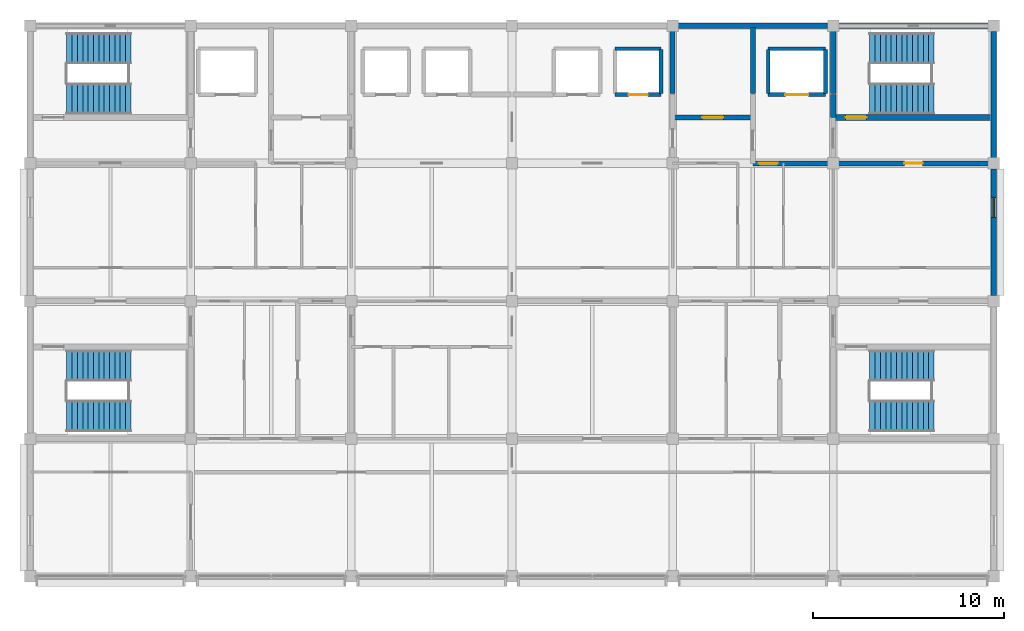
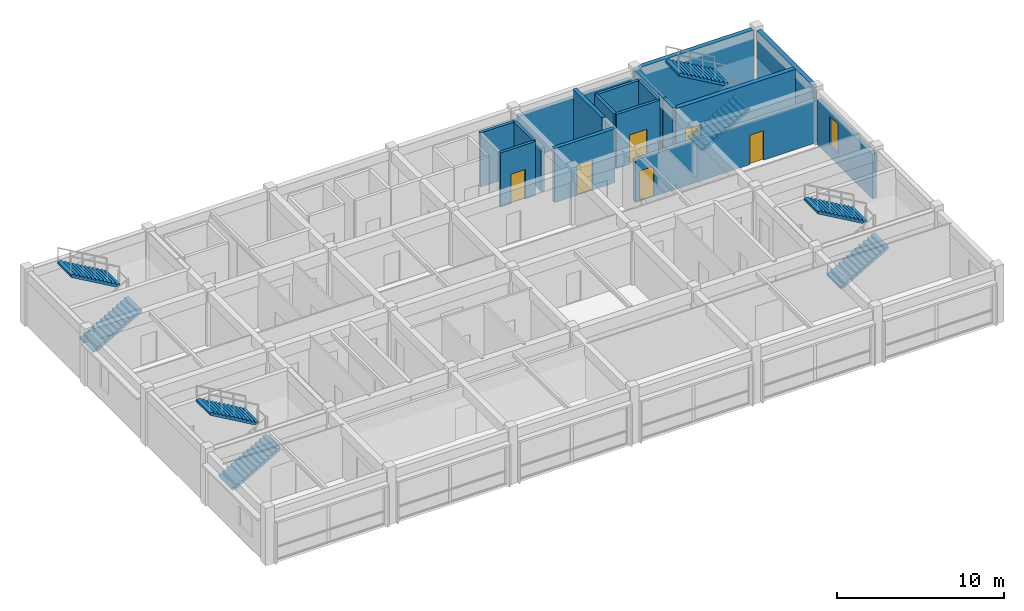
# One storey, part 12 of 13: 18 walls, 8 stair flights, 6 doors, 1 window, 7 openings, 4 elements without a shape of their own.
"""IFC4 building model written with IfcOpenShell, lengths in metres."""

from ifc_helpers import new_model, si_unit, direction, frame, frame_2d, origin, place, context, subcontext, project, spatial, polyline, rectangle, outline, extrude, material, layer, layer_set, type_object, element, fill, aggregate, save


model = new_model("IFC4")

# Units and contexts
model_context = context("Model", 3, precision=1e-05, world=origin(), true_north=direction((0.0, 1.0)))
body_context = subcontext(model_context, "Body", "Model", "MODEL_VIEW")
ifc_project = project(units=[si_unit("LENGTHUNIT", "METRE"), si_unit("AREAUNIT", "SQUARE_METRE"), si_unit("VOLUMEUNIT", "CUBIC_METRE"), si_unit("PLANEANGLEUNIT", "RADIAN"), si_unit("MASSUNIT", "GRAM", prefix="KILO")], contexts=[model_context])

# Site, building, storey
site_placement = place(None, origin())
site = spatial("IfcSite", under=ifc_project, at=site_placement, CompositionType="ELEMENT")
building_placement = place(site_placement, origin())
building = spatial("IfcBuilding", under=site, at=building_placement, Name="Chengyuan Square Courthouse", CompositionType="ELEMENT")
storey_placement = place(building_placement, frame((0.0, 0.0, 64.5)))
storey = spatial("IfcBuildingStorey", under=building, at=storey_placement, Name="L15", CompositionType="ELEMENT", Elevation=64.5)

# Wall
ifc_material_1 = material(Name="Concrete C40", Category="concrete")
ifc_layer_1 = layer(ifc_material_1, 0.280029296875)
ifc_layer_set_1 = layer_set([ifc_layer_1], Name="Concrete C40")
wall_type_1 = type_object("IfcWallType", Name="WL-EW4", PredefinedType="STANDARD", material=ifc_layer_set_1)
wall_1_placement = place(storey_placement, frame((92.695068359375, 108.0, 0.0), z_axis=(0.0, 0.0, 1.0), x_axis=(1.0, 0.0, 0.0)))
element("IfcWall", 1, at=wall_1_placement, inside=storey, type_object=wall_type_1, Name="Exterior Wall WL-L15-E530", PredefinedType="STANDARD", context=body_context, shape_type="SweptSolid", body=[
    extrude(rectangle(XDim=7.809814453125, YDim=0.280029296875, at=frame_2d((3.90478515625, 0.0))), origin(), (0.0, 0.0, 1.0), 3.300048828125),
])

# Wall, opening, window
wall_2_placement = place(storey_placement, frame((109.199951171875, 93.89501953125, 0.0), z_axis=(0.0, 0.0, 1.0), x_axis=(0.0, 1.0, 0.0)))
wall_2 = element("IfcWall", 2, at=wall_2_placement, inside=storey, type_object=wall_type_1, Name="Exterior Wall WL-L15-E533", PredefinedType="STANDARD", context=body_context, shape_type="SweptSolid", body=[
    extrude(rectangle(XDim=6.60986328125, YDim=0.280029296875, at=frame_2d((3.304931640625, 0.0))), origin(), (0.0, 0.0, 1.0), 3.300048828125),
])
opening_1_placement = place(wall_2_placement, frame((4.080078125, 0.0, 0.85009765625)))
opening_1 = element("IfcOpeningElement", 3, at=opening_1_placement, cuts=wall_2, Name="Opening WN-245", PredefinedType="OPENING", context=body_context, shape_type="SweptSolid", body=[
    extrude(rectangle(XDim=1.050048828125, YDim=2.1201171875, at=frame_2d((0.52490234375, 1.06005859375))), frame((0.0, 0.152099609375, 0.0), z_axis=(0.0, -1.0, 0.0), x_axis=(1.0, 0.0, 0.0)), (0.0, 0.0, 1.0), 0.303955078125),
])
ifc_material_2 = material(Name="Thermally Broken Aluminium Triple Low-E Window", Category="aluminium")
window_type = type_object("IfcWindowType", Name="WT-12", PartitioningType="SINGLE_PANEL", PredefinedType="WINDOW", material=ifc_material_2)
window_placement = place(opening_1_placement, origin())
window = element("IfcWindow", 4, at=window_placement, inside=storey, type_object=window_type, Name="Facade Window WN-245", OverallHeight=2.1201171875, OverallWidth=1.050048828125, PartitioningType="SINGLE_PANEL", PredefinedType="WINDOW", context=body_context, shape_type="SweptSolid", body=[
    extrude(rectangle(XDim=1.050048828125, YDim=2.1201171875, at=frame_2d((0.52490234375, 1.06005859375))), frame((0.0, 0.030029296875, 0.0), z_axis=(0.0, -1.0, 0.0), x_axis=(1.0, 0.0, 0.0)), (0.0, 0.0, 1.0), 0.06005859375),
])
fill(opening_1, window)

# Wall, openings, doors
ifc_layer_2 = layer(ifc_material_1, 0.25)
ifc_layer_set_2 = layer_set([ifc_layer_2], Name="Concrete C40")
wall_type_2 = type_object("IfcWallType", Name="WL-FW1", PredefinedType="STANDARD", material=ifc_layer_set_2)
wall_3_placement = place(storey_placement, frame((96.60009765625, 100.800048828125, 0.0), z_axis=(0.0, 0.0, 1.0), x_axis=(1.0, 0.0, 0.0)))
wall_3 = element("IfcWall", 5, at=wall_3_placement, inside=storey, type_object=wall_type_2, Name="Interior Wall WL-L15-I4018", PredefinedType="STANDARD", context=body_context, shape_type="SweptSolid", body=[
    extrude(rectangle(XDim=12.559814453125, YDim=0.25, at=frame_2d((6.27978515625, 0.0))), origin(), (0.0, 0.0, 1.0), 3.10009765625),
])
opening_2_placement = place(wall_3_placement, frame((7.925048828125, 0.0, 0.0)))
opening_2 = element("IfcOpeningElement", 6, at=opening_2_placement, cuts=wall_3, Name="Opening DR-3308", PredefinedType="OPENING", context=body_context, shape_type="SweptSolid", body=[
    extrude(rectangle(XDim=0.949951171875, YDim=2.14990234375, at=frame_2d((0.47509765625, 1.074951171875))), frame((0.0, 0.136962890625, 0.0), z_axis=(0.0, -1.0, 0.0), x_axis=(1.0, 0.0, 0.0)), (0.0, 0.0, 1.0), 0.27392578125),
])
opening_3_placement = place(wall_3_placement, frame((0.300048828125, 0.0, 0.0)))
opening_3 = element("IfcOpeningElement", 7, at=opening_3_placement, cuts=wall_3, Name="Opening DR-3322", PredefinedType="OPENING", context=body_context, shape_type="SweptSolid", body=[
    extrude(rectangle(XDim=1.0, YDim=2.199951171875, at=frame_2d((0.5, 1.10009765625))), frame((0.0, 0.136962890625, 0.0), z_axis=(0.0, -1.0, 0.0), x_axis=(1.0, 0.0, 0.0)), (0.0, 0.0, 1.0), 0.27392578125),
])
ifc_material_3 = material(Name="Steel Q235B Fire Door", Category="steel")
door_type_1 = type_object("IfcDoorType", Name="DT-11", OperationType="NOTDEFINED", PredefinedType="DOOR", material=ifc_material_3)
door_1_placement = place(opening_3_placement, origin())
door_1 = element("IfcDoor", 8, at=door_1_placement, inside=storey, type_object=door_type_1, Name="Interior Door DR-3322", OperationType="SINGLE_SWING_LEFT", OverallHeight=2.199951171875, OverallWidth=1.0, PredefinedType="DOOR", context=body_context, shape_type="SweptSolid", body=[
    extrude(rectangle(XDim=1.0, YDim=2.199951171875, at=frame_2d((0.5, 1.10009765625))), frame((0.0, 0.02490234375, 0.0), z_axis=(0.0, -1.0, 0.0), x_axis=(1.0, 0.0, 0.0)), (0.0, 0.0, 1.0), 0.050048828125),
])
fill(opening_3, door_1)
door_type_2 = type_object("IfcDoorType", Name="DT-12", OperationType="NOTDEFINED", PredefinedType="DOOR", material=ifc_material_3)
door_2_placement = place(opening_2_placement, origin())
door_2 = element("IfcDoor", 9, at=door_2_placement, inside=storey, type_object=door_type_2, Name="Interior Door DR-3308", OperationType="SINGLE_SWING_LEFT", OverallHeight=2.14990234375, OverallWidth=0.949951171875, PredefinedType="DOOR", context=body_context, shape_type="SweptSolid", body=[
    extrude(rectangle(XDim=0.949951171875, YDim=2.14990234375, at=frame_2d((0.47509765625, 1.074951171875))), frame((0.0, 0.02490234375, 0.0), z_axis=(0.0, -1.0, 0.0), x_axis=(1.0, 0.0, 0.0)), (0.0, 0.0, 1.0), 0.050048828125),
])
fill(opening_2, door_2)

# Wall, opening, door
wall_4_placement = place(storey_placement, frame((92.39990234375, 103.199951171875, 0.0), z_axis=(0.0, 0.0, 1.0), x_axis=(1.0, 0.0, 0.0)))
wall_4 = element("IfcWall", 10, at=wall_4_placement, inside=storey, type_object=wall_type_2, Name="Interior Wall WL-L15-I4021", PredefinedType="STANDARD", context=body_context, shape_type="SweptSolid", body=[
    extrude(rectangle(XDim=4.2001953125, YDim=0.25, at=frame_2d((2.10009765625, 0.0))), origin(), (0.0, 0.0, 1.0), 3.949951171875),
])
opening_4_placement = place(wall_4_placement, frame((1.550048828125, 0.0, 0.0)))
opening_4 = element("IfcOpeningElement", 11, at=opening_4_placement, cuts=wall_4, Name="Opening DR-3318", PredefinedType="OPENING", context=body_context, shape_type="SweptSolid", body=[
    extrude(rectangle(XDim=1.10009765625, YDim=2.199951171875, at=frame_2d((0.550048828125, 1.10009765625))), frame((0.0, 0.136962890625, 0.0), z_axis=(0.0, -1.0, 0.0), x_axis=(1.0, 0.0, 0.0)), (0.0, 0.0, 1.0), 0.27392578125),
])
door_type_3 = type_object("IfcDoorType", Name="DT-10", OperationType="NOTDEFINED", PredefinedType="DOOR", material=ifc_material_3)
door_3_placement = place(opening_4_placement, origin())
door_3 = element("IfcDoor", 12, at=door_3_placement, inside=storey, type_object=door_type_3, Name="Interior Door DR-3318", OperationType="SINGLE_SWING_LEFT", OverallHeight=2.199951171875, OverallWidth=1.10009765625, PredefinedType="DOOR", context=body_context, shape_type="SweptSolid", body=[
    extrude(rectangle(XDim=1.10009765625, YDim=2.199951171875, at=frame_2d((0.550048828125, 1.10009765625))), frame((0.0, 0.02490234375, 0.0), z_axis=(0.0, -1.0, 0.0), x_axis=(1.0, 0.0, 0.0)), (0.0, 0.0, 1.0), 0.050048828125),
])
fill(opening_4, door_3)

# Walls
wall_5_placement = place(storey_placement, frame((92.39990234375, 104.449951171875, 0.0), z_axis=(0.0, 0.0, 1.0), x_axis=(0.0, 1.0, 0.0)))
element("IfcWall", 13, at=wall_5_placement, inside=storey, type_object=wall_type_2, Name="Interior Wall WL-L15-I4070", PredefinedType="STANDARD", context=body_context, shape_type="SweptSolid", body=[
    extrude(rectangle(XDim=3.4599609375, YDim=0.25, at=frame_2d((1.72998046875, 0.0))), origin(), (0.0, 0.0, 1.0), 3.199951171875),
])
wall_6_placement = place(storey_placement, frame((96.60009765625, 104.449951171875, 0.0), z_axis=(0.0, 0.0, 1.0), x_axis=(0.0, 1.0, 0.0)))
element("IfcWall", 14, at=wall_6_placement, inside=storey, type_object=wall_type_2, Name="Interior Wall WL-L15-I4074", PredefinedType="STANDARD", context=body_context, shape_type="SweptSolid", body=[
    extrude(rectangle(XDim=3.4599609375, YDim=0.25, at=frame_2d((1.72998046875, 0.0))), origin(), (0.0, 0.0, 1.0), 3.949951171875),
])

# Wall, opening, door
ifc_material_4 = material(Name="Reinforced Masonry Shaft Enclosure", Category="masonry")
ifc_layer_3 = layer(ifc_material_4, 0.199951171875)
ifc_layer_set_3 = layer_set([ifc_layer_3], Name="Reinforced Masonry Shaft Enclosure")
wall_type_3 = type_object("IfcWallType", Name="WL-SH1", PredefinedType="STANDARD", material=ifc_layer_set_3)
wall_7_placement = place(storey_placement, frame((89.39990234375, 104.39990234375, 0.0), z_axis=(0.0, 0.0, 1.0), x_axis=(1.0, 0.0, 0.0)))
wall_7 = element("IfcWall", 15, at=wall_7_placement, inside=storey, type_object=wall_type_3, Name="Interior Wall WL-L15-I4029", PredefinedType="STANDARD", context=body_context, shape_type="SweptSolid", body=[
    extrude(rectangle(XDim=2.400146484375, YDim=0.199951171875, at=frame_2d((1.2001953125, 0.0))), origin(), (0.0, 0.0, 1.0), 3.949951171875),
])
opening_5_placement = place(wall_7_placement, frame((0.699951171875, 0.0, 0.0)))
opening_5 = element("IfcOpeningElement", 16, at=opening_5_placement, cuts=wall_7, Name="Opening LD-210", PredefinedType="OPENING", context=body_context, shape_type="SweptSolid", body=[
    extrude(rectangle(XDim=1.0, YDim=2.14990234375, at=frame_2d((0.5, 1.074951171875))), frame((0.0, 0.112060546875, 0.0), z_axis=(0.0, -1.0, 0.0), x_axis=(1.0, 0.0, 0.0)), (0.0, 0.0, 1.0), 0.223876953125),
])
ifc_material_5 = material(Name="Stainless Steel S30408 Lift Landing Door", Category="steel")
door_type_4 = type_object("IfcDoorType", Name="DT-07", OperationType="DOUBLE_DOOR_SLIDING", PredefinedType="DOOR", material=ifc_material_5)
door_4_placement = place(opening_5_placement, origin())
door_4 = element("IfcDoor", 17, at=door_4_placement, inside=storey, type_object=door_type_4, Name="Lift Landing Door LF-J4 L15", OperationType="DOUBLE_DOOR_SLIDING", OverallHeight=2.14990234375, OverallWidth=1.0, PredefinedType="DOOR", context=body_context, shape_type="SweptSolid", body=[
    extrude(rectangle(XDim=1.0, YDim=2.14990234375, at=frame_2d((0.5, 1.074951171875))), frame((0.0, 0.02490234375, 0.0), z_axis=(0.0, -1.0, 0.0), x_axis=(1.0, 0.0, 0.0)), (0.0, 0.0, 1.0), 0.050048828125),
])
fill(opening_5, door_4)

wall_8_placement = place(storey_placement, frame((97.39990234375, 104.39990234375, 0.0), z_axis=(0.0, 0.0, 1.0), x_axis=(1.0, 0.0, 0.0)))
wall_8 = element("IfcWall", 18, at=wall_8_placement, inside=storey, type_object=wall_type_3, Name="Interior Wall WL-L15-I4030", PredefinedType="STANDARD", context=body_context, shape_type="SweptSolid", body=[
    extrude(rectangle(XDim=3.0, YDim=0.199951171875, at=frame_2d((1.5, 0.0))), origin(), (0.0, 0.0, 1.0), 3.949951171875),
])
opening_6_placement = place(wall_8_placement, frame((0.89990234375, 0.0, 0.0)))
opening_6 = element("IfcOpeningElement", 19, at=opening_6_placement, cuts=wall_8, Name="Opening LD-206", PredefinedType="OPENING", context=body_context, shape_type="SweptSolid", body=[
    extrude(rectangle(XDim=1.199951171875, YDim=2.14990234375, at=frame_2d((0.60009765625, 1.074951171875))), frame((0.0, 0.112060546875, 0.0), z_axis=(0.0, -1.0, 0.0), x_axis=(1.0, 0.0, 0.0)), (0.0, 0.0, 1.0), 0.223876953125),
])
door_type_5 = type_object("IfcDoorType", Name="DT-05", OperationType="DOUBLE_DOOR_SLIDING", PredefinedType="DOOR", material=ifc_material_5)
door_5_placement = place(opening_6_placement, origin())
door_5 = element("IfcDoor", 20, at=door_5_placement, inside=storey, type_object=door_type_5, Name="Lift Landing Door LF-F2 L15", OperationType="DOUBLE_DOOR_SLIDING", OverallHeight=2.14990234375, OverallWidth=1.199951171875, PredefinedType="DOOR", context=body_context, shape_type="SweptSolid", body=[
    extrude(rectangle(XDim=1.199951171875, YDim=2.14990234375, at=frame_2d((0.60009765625, 1.074951171875))), frame((0.0, 0.02490234375, 0.0), z_axis=(0.0, -1.0, 0.0), x_axis=(1.0, 0.0, 0.0)), (0.0, 0.0, 1.0), 0.050048828125),
])
fill(opening_6, door_5)

# Walls
wall_9_placement = place(storey_placement, frame((89.39990234375, 106.800048828125, 0.0), z_axis=(0.0, 0.0, 1.0), x_axis=(1.0, 0.0, 0.0)))
element("IfcWall", 21, at=wall_9_placement, inside=storey, type_object=wall_type_3, Name="Interior Wall WL-L15-I4035", PredefinedType="STANDARD", context=body_context, shape_type="SweptSolid", body=[
    extrude(rectangle(XDim=2.400146484375, YDim=0.199951171875, at=frame_2d((1.2001953125, 0.0))), origin(), (0.0, 0.0, 1.0), 3.949951171875),
])
wall_10_placement = place(storey_placement, frame((97.39990234375, 106.800048828125, 0.0), z_axis=(0.0, 0.0, 1.0), x_axis=(1.0, 0.0, 0.0)))
element("IfcWall", 22, at=wall_10_placement, inside=storey, type_object=wall_type_3, Name="Interior Wall WL-L15-I4036", PredefinedType="STANDARD", context=body_context, shape_type="SweptSolid", body=[
    extrude(rectangle(XDim=3.0, YDim=0.199951171875, at=frame_2d((1.5, 0.0))), origin(), (0.0, 0.0, 1.0), 3.949951171875),
])
for number, where, z_axis, x_axis, name in (
    (23, (91.800048828125, 104.449951171875, 0.0), (0.0, 0.0, 1.0), (0.0, 1.0, 0.0), "Interior Wall WL-L15-I4066"),
    (24, (97.39990234375, 104.449951171875, 0.0), (0.0, 0.0, 1.0), (0.0, 1.0, 0.0), "Interior Wall WL-L15-I4075"),
    (25, (100.39990234375, 104.449951171875, 0.0), (0.0, 0.0, 1.0), (0.0, 1.0, 0.0), "Interior Wall WL-L15-I4078"),
):
    element("IfcWall", number, at=place(storey_placement, frame(where, z_axis=z_axis, x_axis=x_axis)), inside=storey, type_object=wall_type_3, Name=name, PredefinedType="STANDARD", context=body_context, shape_type="SweptSolid", body=[
        extrude(rectangle(XDim=2.300048828125, YDim=0.199951171875, at=frame_2d((1.14990234375, 0.0))), origin(), (0.0, 0.0, 1.0), 3.949951171875),
    ])
ifc_layer_4 = layer(ifc_material_1, 0.300048828125)
ifc_layer_set_4 = layer_set([ifc_layer_4], Name="Concrete C40")
wall_type_4 = type_object("IfcWallType", Name="WL-SW2", PredefinedType="SHEAR", material=ifc_layer_set_4)
wall_11_placement = place(storey_placement, frame((101.094970703125, 108.0, 0.0), z_axis=(0.0, 0.0, 1.0), x_axis=(1.0, 0.0, 0.0)))
element("IfcWall", 26, at=wall_11_placement, inside=storey, type_object=wall_type_4, Name="Exterior Wall WL-L15-E534", PredefinedType="SHEAR", context=body_context, shape_type="SweptSolid", body=[
    extrude(rectangle(XDim=7.81005859375, YDim=0.300048828125, at=frame_2d((3.905029296875, 0.0))), origin(), (0.0, 0.0, 1.0), 3.949951171875),
])
wall_12_placement = place(storey_placement, frame((109.199951171875, 101.094970703125, 0.0), z_axis=(0.0, 0.0, 1.0), x_axis=(0.0, 1.0, 0.0)))
element("IfcWall", 27, at=wall_12_placement, inside=storey, type_object=wall_type_4, Name="Exterior Wall WL-L15-E535", PredefinedType="SHEAR", context=body_context, shape_type="SweptSolid", body=[
    extrude(rectangle(XDim=6.610107421875, YDim=0.300048828125, at=frame_2d((3.30517578125, 0.0))), origin(), (0.0, 0.0, 1.0), 3.949951171875),
])

# Wall, opening, door
wall_13_placement = place(storey_placement, frame((100.800048828125, 103.199951171875, 0.0), z_axis=(0.0, 0.0, 1.0), x_axis=(1.0, 0.0, 0.0)))
wall_13 = element("IfcWall", 28, at=wall_13_placement, inside=storey, type_object=wall_type_4, Name="Interior Wall WL-L15-I4022", PredefinedType="SHEAR", context=body_context, shape_type="SweptSolid", body=[
    extrude(rectangle(XDim=8.35986328125, YDim=0.300048828125, at=frame_2d((4.179931640625, 0.0))), origin(), (0.0, 0.0, 1.0), 3.949951171875),
])
opening_7_placement = place(wall_13_placement, frame((0.64990234375, 0.0, 0.0)))
opening_7 = element("IfcOpeningElement", 29, at=opening_7_placement, cuts=wall_13, Name="Opening DR-3302", PredefinedType="OPENING", context=body_context, shape_type="SweptSolid", body=[
    extrude(rectangle(XDim=1.10009765625, YDim=2.199951171875, at=frame_2d((0.550048828125, 1.10009765625))), frame((0.0, 0.162109375, 0.0), z_axis=(0.0, -1.0, 0.0), x_axis=(1.0, 0.0, 0.0)), (0.0, 0.0, 1.0), 0.323974609375),
])
door_6_placement = place(opening_7_placement, origin())
door_6 = element("IfcDoor", 30, at=door_6_placement, inside=storey, type_object=door_type_3, Name="Smoke-Proof Stairwell Fire Door ST-2 DR-3302", OperationType="SINGLE_SWING_LEFT", OverallHeight=2.199951171875, OverallWidth=1.10009765625, PredefinedType="DOOR", context=body_context, shape_type="SweptSolid", body=[
    extrude(rectangle(XDim=1.10009765625, YDim=2.199951171875, at=frame_2d((0.550048828125, 1.10009765625))), frame((0.0, 0.02490234375, 0.0), z_axis=(0.0, -1.0, 0.0), x_axis=(1.0, 0.0, 0.0)), (0.0, 0.0, 1.0), 0.050048828125),
])
fill(opening_7, door_6)

# Walls
wall_14_placement = place(storey_placement, frame((100.800048828125, 103.199951171875, 0.0), z_axis=(0.0, 0.0, 1.0), x_axis=(0.0, 1.0, 0.0)))
element("IfcWall", 31, at=wall_14_placement, inside=storey, type_object=wall_type_4, Name="Interior Wall WL-L15-I4083", PredefinedType="SHEAR", context=body_context, shape_type="SweptSolid", body=[
    extrude(rectangle(XDim=1.199951171875, YDim=0.300048828125, at=frame_2d((0.60009765625, 0.0))), origin(), (0.0, 0.0, 1.0), 3.949951171875),
])
wall_15_placement = place(storey_placement, frame((100.800048828125, 104.449951171875, 0.0), z_axis=(0.0, 0.0, 1.0), x_axis=(0.0, 1.0, 0.0)))
element("IfcWall", 32, at=wall_15_placement, inside=storey, type_object=wall_type_4, Name="Interior Wall WL-L15-I4084", PredefinedType="SHEAR", context=body_context, shape_type="SweptSolid", body=[
    extrude(rectangle(XDim=3.4599609375, YDim=0.300048828125, at=frame_2d((1.72998046875, 0.0))), origin(), (0.0, 0.0, 1.0), 3.949951171875),
])

# Stair, stair flights
stair_type_1 = type_object("IfcStairType", Name="ST-TYPE-01", PredefinedType="HALF_TURN_STAIR", material=ifc_material_1)
stair_1_placement = place(storey_placement, origin())
stair_1 = element("IfcStair", 33, at=stair_1_placement, inside=storey, type_object=stair_type_1, Name="Smoke-Proof Exit Stair ST-1 (L15 to L16)", PredefinedType="HALF_TURN_STAIR")
stair_flight_type_1 = type_object("IfcStairFlightType", Name="STF-TYPE-01", PredefinedType="STRAIGHT", material=ifc_material_1)
stair_flight_1_placement = place(storey_placement, frame((60.7099609375, 104.175048828125, 0.0), z_axis=(0.0, 0.0, 1.0), x_axis=(1.0, 0.0, 0.0)))
stair_flight_1 = element("IfcStairFlight", 34, at=stair_flight_1_placement, type_object=stair_flight_type_1, Name="ST-1 flight 1", NumberOfRisers=13, NumberOfTreads=12, PredefinedType="STRAIGHT", RiserHeight=0.161538462, TreadLength=0.28, context=body_context, shape_type="SweptSolid", body=[
    extrude(outline(polyline([(0.0, 0.0), (0.0, 0.16162109375), (0.280029296875, 0.16162109375), (0.280029296875, 0.322998046875), (0.56005859375, 0.322998046875), (0.56005859375, 0.484619140625), (0.840087890625, 0.484619140625), (0.840087890625, 0.646240234375), (1.1201171875, 0.646240234375), (1.1201171875, 0.8076171875), (1.39990234375, 0.8076171875), (1.39990234375, 0.96923828125), (1.679931640625, 0.96923828125), (1.679931640625, 1.130859375), (1.9599609375, 1.130859375), (1.9599609375, 1.292236328125), (2.239990234375, 1.292236328125), (2.239990234375, 1.453857421875), (2.52001953125, 1.453857421875), (2.52001953125, 1.615478515625), (2.800048828125, 1.615478515625), (2.800048828125, 1.77685546875), (3.080078125, 1.77685546875), (3.080078125, 1.9384765625), (3.360107421875, 1.9384765625), (3.360107421875, 2.10009765625), (3.360107421875, 1.765380859375), (0.300048828125, 0.0), (0.0, 0.0)])), frame((0.0, 0.824951171875, 0.0), z_axis=(0.0, -1.0, 0.0), x_axis=(1.0, 0.0, 0.0)), (0.0, 0.0, 1.0), 1.64990234375),
])
stair_flight_2_placement = place(storey_placement, frame((64.070068359375, 106.824951171875, 2.10009765625), z_axis=(0.0, 0.0, 1.0), x_axis=(-1.0, 0.0, 0.0)))
stair_flight_2 = element("IfcStairFlight", 35, at=stair_flight_2_placement, type_object=stair_flight_type_1, Name="ST-1 flight 2", NumberOfRisers=13, NumberOfTreads=12, PredefinedType="STRAIGHT", RiserHeight=0.161538462, TreadLength=0.28, context=body_context, shape_type="SweptSolid", body=[
    extrude(outline(polyline([(0.0, 0.0), (0.0, 0.16162109375), (0.280029296875, 0.16162109375), (0.280029296875, 0.322998046875), (0.56005859375, 0.322998046875), (0.56005859375, 0.484619140625), (0.840087890625, 0.484619140625), (0.840087890625, 0.646240234375), (1.1201171875, 0.646240234375), (1.1201171875, 0.8076171875), (1.39990234375, 0.8076171875), (1.39990234375, 0.96923828125), (1.679931640625, 0.96923828125), (1.679931640625, 1.130859375), (1.9599609375, 1.130859375), (1.9599609375, 1.292236328125), (2.239990234375, 1.292236328125), (2.239990234375, 1.453857421875), (2.52001953125, 1.453857421875), (2.52001953125, 1.615478515625), (2.800048828125, 1.615478515625), (2.800048828125, 1.77685546875), (3.080078125, 1.77685546875), (3.080078125, 1.9384765625), (3.360107421875, 1.9384765625), (3.360107421875, 2.10009765625), (3.360107421875, 1.765380859375), (0.300048828125, 0.0), (0.0, 0.0)])), frame((0.0, 0.824951171875, 0.0), z_axis=(0.0, -1.0, 0.0), x_axis=(1.0, 0.0, 0.0)), (0.0, 0.0, 1.0), 1.64990234375),
])
aggregate(stair_1, [stair_flight_1, stair_flight_2])

stair_type_2 = type_object("IfcStairType", Name="ST-TYPE-02", PredefinedType="HALF_TURN_STAIR", material=ifc_material_1)
stair_2_placement = place(storey_placement, origin())
stair_2 = element("IfcStair", 36, at=stair_2_placement, inside=storey, type_object=stair_type_2, Name="Smoke-Proof Exit Stair ST-2 (L15 to L16)", PredefinedType="HALF_TURN_STAIR")
stair_flight_type_2 = type_object("IfcStairFlightType", Name="STF-TYPE-02", PredefinedType="STRAIGHT", material=ifc_material_1)
stair_flight_3_placement = place(storey_placement, frame((102.7099609375, 104.175048828125, 0.0), z_axis=(0.0, 0.0, 1.0), x_axis=(1.0, 0.0, 0.0)))
stair_flight_3 = element("IfcStairFlight", 37, at=stair_flight_3_placement, type_object=stair_flight_type_2, Name="ST-2 flight 1", NumberOfRisers=13, NumberOfTreads=12, PredefinedType="STRAIGHT", RiserHeight=0.161538462, TreadLength=0.28, context=body_context, shape_type="SweptSolid", body=[
    extrude(outline(polyline([(0.0, 0.0), (0.0, 0.16162109375), (0.280029296875, 0.16162109375), (0.280029296875, 0.322998046875), (0.56005859375, 0.322998046875), (0.56005859375, 0.484619140625), (0.840087890625, 0.484619140625), (0.840087890625, 0.646240234375), (1.1201171875, 0.646240234375), (1.1201171875, 0.8076171875), (1.39990234375, 0.8076171875), (1.39990234375, 0.96923828125), (1.679931640625, 0.96923828125), (1.679931640625, 1.130859375), (1.9599609375, 1.130859375), (1.9599609375, 1.292236328125), (2.239990234375, 1.292236328125), (2.239990234375, 1.453857421875), (2.52001953125, 1.453857421875), (2.52001953125, 1.615478515625), (2.800048828125, 1.615478515625), (2.800048828125, 1.77685546875), (3.080078125, 1.77685546875), (3.080078125, 1.9384765625), (3.360107421875, 1.9384765625), (3.360107421875, 2.10009765625), (3.360107421875, 1.765380859375), (0.300048828125, 0.0), (0.0, 0.0)])), frame((0.0, 0.824951171875, 0.0), z_axis=(0.0, -1.0, 0.0), x_axis=(1.0, 0.0, 0.0)), (0.0, 0.0, 1.0), 1.64990234375),
])
stair_flight_4_placement = place(storey_placement, frame((106.070068359375, 106.824951171875, 2.10009765625), z_axis=(0.0, 0.0, 1.0), x_axis=(-1.0, 0.0, 0.0)))
stair_flight_4 = element("IfcStairFlight", 38, at=stair_flight_4_placement, type_object=stair_flight_type_2, Name="ST-2 flight 2", NumberOfRisers=13, NumberOfTreads=12, PredefinedType="STRAIGHT", RiserHeight=0.161538462, TreadLength=0.28, context=body_context, shape_type="SweptSolid", body=[
    extrude(outline(polyline([(0.0, 0.0), (0.0, 0.16162109375), (0.280029296875, 0.16162109375), (0.280029296875, 0.322998046875), (0.56005859375, 0.322998046875), (0.56005859375, 0.484619140625), (0.840087890625, 0.484619140625), (0.840087890625, 0.646240234375), (1.1201171875, 0.646240234375), (1.1201171875, 0.8076171875), (1.39990234375, 0.8076171875), (1.39990234375, 0.96923828125), (1.679931640625, 0.96923828125), (1.679931640625, 1.130859375), (1.9599609375, 1.130859375), (1.9599609375, 1.292236328125), (2.239990234375, 1.292236328125), (2.239990234375, 1.453857421875), (2.52001953125, 1.453857421875), (2.52001953125, 1.615478515625), (2.800048828125, 1.615478515625), (2.800048828125, 1.77685546875), (3.080078125, 1.77685546875), (3.080078125, 1.9384765625), (3.360107421875, 1.9384765625), (3.360107421875, 2.10009765625), (3.360107421875, 1.765380859375), (0.300048828125, 0.0), (0.0, 0.0)])), frame((0.0, 0.824951171875, 0.0), z_axis=(0.0, -1.0, 0.0), x_axis=(1.0, 0.0, 0.0)), (0.0, 0.0, 1.0), 1.64990234375),
])
aggregate(stair_2, [stair_flight_3, stair_flight_4])

stair_type_3 = type_object("IfcStairType", Name="ST-TYPE-03", PredefinedType="HALF_TURN_STAIR", material=ifc_material_1)
stair_3_placement = place(storey_placement, origin())
stair_3 = element("IfcStair", 39, at=stair_3_placement, inside=storey, type_object=stair_type_3, Name="Smoke-Proof Exit Stair ST-3 (L15 to L16)", PredefinedType="HALF_TURN_STAIR")
stair_flight_type_3 = type_object("IfcStairFlightType", Name="STF-TYPE-03", PredefinedType="STRAIGHT", material=ifc_material_1)
stair_flight_5_placement = place(storey_placement, frame((60.7099609375, 87.574951171875, 0.0), z_axis=(0.0, 0.0, 1.0), x_axis=(1.0, 0.0, 0.0)))
stair_flight_5 = element("IfcStairFlight", 40, at=stair_flight_5_placement, type_object=stair_flight_type_3, Name="ST-3 flight 1", NumberOfRisers=13, NumberOfTreads=12, PredefinedType="STRAIGHT", RiserHeight=0.161538462, TreadLength=0.28, context=body_context, shape_type="SweptSolid", body=[
    extrude(outline(polyline([(0.0, 0.0), (0.0, 0.16162109375), (0.280029296875, 0.16162109375), (0.280029296875, 0.322998046875), (0.56005859375, 0.322998046875), (0.56005859375, 0.484619140625), (0.840087890625, 0.484619140625), (0.840087890625, 0.646240234375), (1.1201171875, 0.646240234375), (1.1201171875, 0.8076171875), (1.39990234375, 0.8076171875), (1.39990234375, 0.96923828125), (1.679931640625, 0.96923828125), (1.679931640625, 1.130859375), (1.9599609375, 1.130859375), (1.9599609375, 1.292236328125), (2.239990234375, 1.292236328125), (2.239990234375, 1.453857421875), (2.52001953125, 1.453857421875), (2.52001953125, 1.615478515625), (2.800048828125, 1.615478515625), (2.800048828125, 1.77685546875), (3.080078125, 1.77685546875), (3.080078125, 1.9384765625), (3.360107421875, 1.9384765625), (3.360107421875, 2.10009765625), (3.360107421875, 1.765380859375), (0.300048828125, 0.0), (0.0, 0.0)])), frame((0.0, 0.824951171875, 0.0), z_axis=(0.0, -1.0, 0.0), x_axis=(1.0, 0.0, 0.0)), (0.0, 0.0, 1.0), 1.64990234375),
])
stair_flight_6_placement = place(storey_placement, frame((64.070068359375, 90.22509765625, 2.10009765625), z_axis=(0.0, 0.0, 1.0), x_axis=(-1.0, 0.0, 0.0)))
stair_flight_6 = element("IfcStairFlight", 41, at=stair_flight_6_placement, type_object=stair_flight_type_3, Name="ST-3 flight 2", NumberOfRisers=13, NumberOfTreads=12, PredefinedType="STRAIGHT", RiserHeight=0.161538462, TreadLength=0.28, context=body_context, shape_type="SweptSolid", body=[
    extrude(outline(polyline([(0.0, 0.0), (0.0, 0.16162109375), (0.280029296875, 0.16162109375), (0.280029296875, 0.322998046875), (0.56005859375, 0.322998046875), (0.56005859375, 0.484619140625), (0.840087890625, 0.484619140625), (0.840087890625, 0.646240234375), (1.1201171875, 0.646240234375), (1.1201171875, 0.8076171875), (1.39990234375, 0.8076171875), (1.39990234375, 0.96923828125), (1.679931640625, 0.96923828125), (1.679931640625, 1.130859375), (1.9599609375, 1.130859375), (1.9599609375, 1.292236328125), (2.239990234375, 1.292236328125), (2.239990234375, 1.453857421875), (2.52001953125, 1.453857421875), (2.52001953125, 1.615478515625), (2.800048828125, 1.615478515625), (2.800048828125, 1.77685546875), (3.080078125, 1.77685546875), (3.080078125, 1.9384765625), (3.360107421875, 1.9384765625), (3.360107421875, 2.10009765625), (3.360107421875, 1.765380859375), (0.300048828125, 0.0), (0.0, 0.0)])), frame((0.0, 0.824951171875, 0.0), z_axis=(0.0, -1.0, 0.0), x_axis=(1.0, 0.0, 0.0)), (0.0, 0.0, 1.0), 1.64990234375),
])
aggregate(stair_3, [stair_flight_5, stair_flight_6])

stair_type_4 = type_object("IfcStairType", Name="ST-TYPE-04", PredefinedType="HALF_TURN_STAIR", material=ifc_material_1)
stair_4_placement = place(storey_placement, origin())
stair_4 = element("IfcStair", 42, at=stair_4_placement, inside=storey, type_object=stair_type_4, Name="Smoke-Proof Exit Stair ST-4 (L15 to L16)", PredefinedType="HALF_TURN_STAIR")
stair_flight_type_4 = type_object("IfcStairFlightType", Name="STF-TYPE-04", PredefinedType="STRAIGHT", material=ifc_material_1)
stair_flight_7_placement = place(storey_placement, frame((102.7099609375, 87.574951171875, 0.0), z_axis=(0.0, 0.0, 1.0), x_axis=(1.0, 0.0, 0.0)))
stair_flight_7 = element("IfcStairFlight", 43, at=stair_flight_7_placement, type_object=stair_flight_type_4, Name="ST-4 flight 1", NumberOfRisers=13, NumberOfTreads=12, PredefinedType="STRAIGHT", RiserHeight=0.161538462, TreadLength=0.28, context=body_context, shape_type="SweptSolid", body=[
    extrude(outline(polyline([(0.0, 0.0), (0.0, 0.16162109375), (0.280029296875, 0.16162109375), (0.280029296875, 0.322998046875), (0.56005859375, 0.322998046875), (0.56005859375, 0.484619140625), (0.840087890625, 0.484619140625), (0.840087890625, 0.646240234375), (1.1201171875, 0.646240234375), (1.1201171875, 0.8076171875), (1.39990234375, 0.8076171875), (1.39990234375, 0.96923828125), (1.679931640625, 0.96923828125), (1.679931640625, 1.130859375), (1.9599609375, 1.130859375), (1.9599609375, 1.292236328125), (2.239990234375, 1.292236328125), (2.239990234375, 1.453857421875), (2.52001953125, 1.453857421875), (2.52001953125, 1.615478515625), (2.800048828125, 1.615478515625), (2.800048828125, 1.77685546875), (3.080078125, 1.77685546875), (3.080078125, 1.9384765625), (3.360107421875, 1.9384765625), (3.360107421875, 2.10009765625), (3.360107421875, 1.765380859375), (0.300048828125, 0.0), (0.0, 0.0)])), frame((0.0, 0.824951171875, 0.0), z_axis=(0.0, -1.0, 0.0), x_axis=(1.0, 0.0, 0.0)), (0.0, 0.0, 1.0), 1.64990234375),
])
stair_flight_8_placement = place(storey_placement, frame((106.070068359375, 90.22509765625, 2.10009765625), z_axis=(0.0, 0.0, 1.0), x_axis=(-1.0, 0.0, 0.0)))
stair_flight_8 = element("IfcStairFlight", 44, at=stair_flight_8_placement, type_object=stair_flight_type_4, Name="ST-4 flight 2", NumberOfRisers=13, NumberOfTreads=12, PredefinedType="STRAIGHT", RiserHeight=0.161538462, TreadLength=0.28, context=body_context, shape_type="SweptSolid", body=[
    extrude(outline(polyline([(0.0, 0.0), (0.0, 0.16162109375), (0.280029296875, 0.16162109375), (0.280029296875, 0.322998046875), (0.56005859375, 0.322998046875), (0.56005859375, 0.484619140625), (0.840087890625, 0.484619140625), (0.840087890625, 0.646240234375), (1.1201171875, 0.646240234375), (1.1201171875, 0.8076171875), (1.39990234375, 0.8076171875), (1.39990234375, 0.96923828125), (1.679931640625, 0.96923828125), (1.679931640625, 1.130859375), (1.9599609375, 1.130859375), (1.9599609375, 1.292236328125), (2.239990234375, 1.292236328125), (2.239990234375, 1.453857421875), (2.52001953125, 1.453857421875), (2.52001953125, 1.615478515625), (2.800048828125, 1.615478515625), (2.800048828125, 1.77685546875), (3.080078125, 1.77685546875), (3.080078125, 1.9384765625), (3.360107421875, 1.9384765625), (3.360107421875, 2.10009765625), (3.360107421875, 1.765380859375), (0.300048828125, 0.0), (0.0, 0.0)])), frame((0.0, 0.824951171875, 0.0), z_axis=(0.0, -1.0, 0.0), x_axis=(1.0, 0.0, 0.0)), (0.0, 0.0, 1.0), 1.64990234375),
])
aggregate(stair_4, [stair_flight_7, stair_flight_8])

save(model, "model.ifc")
